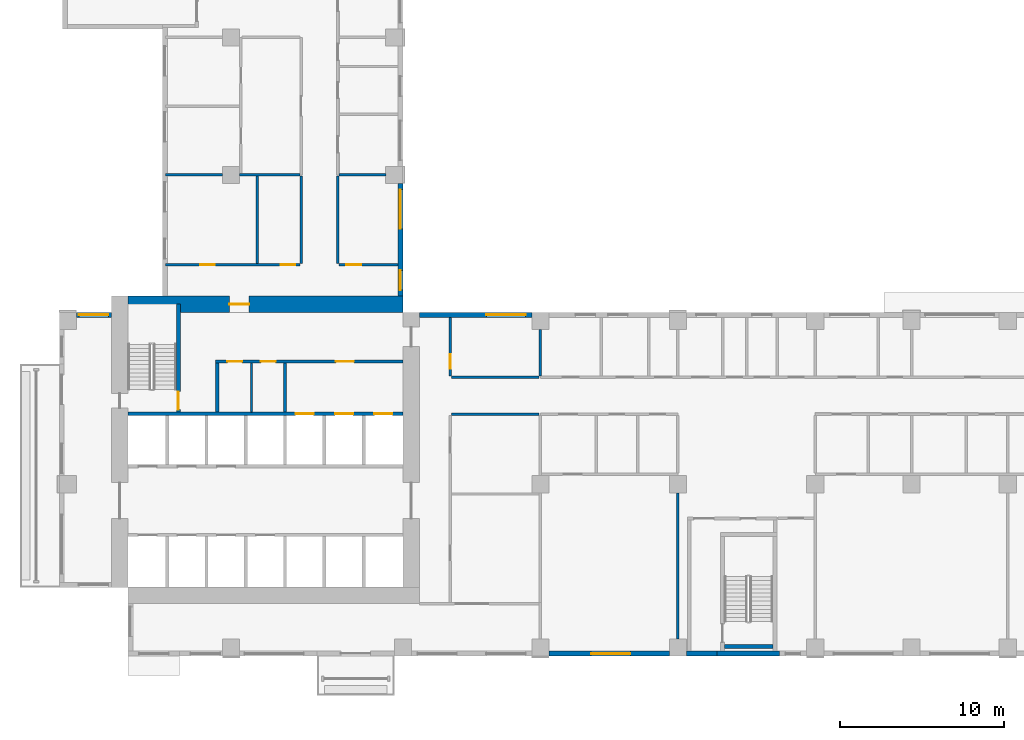
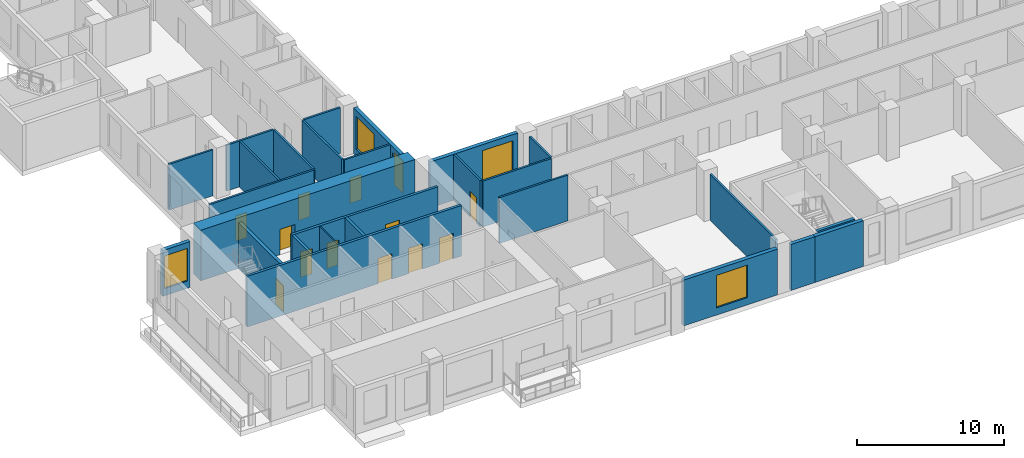
# One storey, part 3 of 13: 27 walls, 12 doors, 5 windows, 17 openings.
"""IFC4 building model written with IfcOpenShell, lengths in metres."""

from ifc_helpers import new_model, si_unit, direction, frame, frame_2d, origin, place, context, subcontext, project, spatial, rectangle, extrude, source, transform, mapped, material, layer, layer_set, type_object, element, fill, save


model = new_model("IFC4")

# Units and contexts
model_context = context("Model", 3, precision=1e-05, world=origin(), true_north=direction((0.0, 1.0)))
body_context = subcontext(model_context, "Body", "Model", "MODEL_VIEW")
ifc_project = project(units=[si_unit("LENGTHUNIT", "METRE"), si_unit("AREAUNIT", "SQUARE_METRE"), si_unit("VOLUMEUNIT", "CUBIC_METRE"), si_unit("PLANEANGLEUNIT", "RADIAN"), si_unit("MASSUNIT", "GRAM", prefix="KILO")], contexts=[model_context])

# Site, building, storey
site_placement = place(None, origin())
site = spatial("IfcSite", under=ifc_project, at=site_placement, CompositionType="ELEMENT")
building_placement = place(site_placement, origin())
building = spatial("IfcBuilding", under=site, at=building_placement, Name="Aurelian Terraces", CompositionType="ELEMENT")
storey_placement = place(building_placement, frame((0.0, 0.0, 158.1)))
storey = spatial("IfcBuildingStorey", under=building, at=storey_placement, Name="L35", CompositionType="ELEMENT", Elevation=158.1)

# Wall, opening, door
ifc_material_1 = material(Name="Concrete fc' 83 MPa", Category="concrete")
ifc_layer_1 = layer(ifc_material_1, 1.0)
ifc_layer_set_1 = layer_set([ifc_layer_1], Name="CORE WALL 1000 FC83")
wall_type_1 = type_object("IfcWallType", Name="CORE WALL 1000 FC83", PredefinedType="SHEAR", material=ifc_layer_set_1)
shared_shape_1 = source(origin(), body_context, "Body", "SweptSolid", [
    extrude(rectangle(XDim=16.8, YDim=1.0, at=frame_2d((8.4, 0.0))), origin(), (0.0, 0.0, 1.0), 4.2),
])
wall_1_placement = place(storey_placement, frame((4.2, 21.5, 0.0), z_axis=(0.0, 0.0, 1.0), x_axis=(1.0, 0.0, 0.0)))
wall_1 = element("IfcWall", 1, at=wall_1_placement, inside=storey, type_object=wall_type_1, Name="Core wall N L35", PredefinedType="SHEAR", context=body_context, shape_type="MappedRepresentation", body=[
    mapped(shared_shape_1, transform((0.0, 0.0, 0.0), scale=1.0)),
])
shared_shape_2 = source(origin(), body_context, "Body", "SweptSolid", [
    extrude(rectangle(XDim=1.2, YDim=2.1, at=frame_2d((0.6, 1.05))), frame((0.0, 0.51, 0.0), z_axis=(0.0, -1.0, 0.0), x_axis=(1.0, 0.0, 0.0)), (0.0, 0.0, 1.0), 1.02),
])
opening_1_placement = place(wall_1_placement, frame((6.2, 0.0, 0.0)))
opening_1 = element("IfcOpeningElement", 2, at=opening_1_placement, cuts=wall_1, Name="Opening 63822", PredefinedType="OPENING", context=body_context, shape_type="MappedRepresentation", body=[
    mapped(shared_shape_2, transform((0.0, 0.0, 0.0), scale=1.0)),
])
ifc_material_2 = material(Name="Steel door leaf", Category="steel")
door_type_1 = type_object("IfcDoorType", Name="Core fire door 1200x2100", OperationType="SINGLE_SWING_LEFT", PredefinedType="DOOR", material=ifc_material_2)
shared_shape_3 = source(origin(), body_context, "Body", "SweptSolid", [
    extrude(rectangle(XDim=1.2, YDim=2.1, at=frame_2d((0.6, 1.05))), frame((0.0, 0.025, 0.0), z_axis=(0.0, -1.0, 0.0), x_axis=(1.0, 0.0, 0.0)), (0.0, 0.0, 1.0), 0.05),
])
door_1_placement = place(opening_1_placement, origin())
door_1 = element("IfcDoor", 3, at=door_1_placement, inside=storey, type_object=door_type_1, Name="Core door 63822", OperationType="SINGLE_SWING_LEFT", OverallHeight=2.1, OverallWidth=1.2, PredefinedType="DOOR", context=body_context, shape_type="MappedRepresentation", body=[
    mapped(shared_shape_3, transform((0.0, 0.0, 0.0), scale=1.0)),
])
fill(opening_1, door_1)

# Wall
ifc_material_3 = material(Name="Concrete fc' 40 MPa", Category="concrete")
ifc_layer_2 = layer(ifc_material_3, 0.3)
ifc_layer_set_2 = layer_set([ifc_layer_2], Name="STAIR BAY WALL 300")
wall_type_2 = type_object("IfcWallType", Name="STAIR BAY WALL 300", PredefinedType="SOLIDWALL", material=ifc_layer_set_2)
shared_shape_4 = source(origin(), body_context, "Body", "SweptSolid", [
    extrude(rectangle(XDim=3.8, YDim=0.3, at=frame_2d((1.9, 0.0))), origin(), (0.0, 0.0, 1.0), 3.8),
])
wall_2_placement = place(storey_placement, frame((40.2, 0.15, 0.0), z_axis=(0.0, 0.0, 1.0), x_axis=(1.0, 0.0, 0.0)))
element("IfcWall", 4, at=wall_2_placement, inside=storey, type_object=wall_type_2, Name="Stair bay wall L35 F01.7", PredefinedType="SOLIDWALL", context=body_context, shape_type="MappedRepresentation", body=[
    mapped(shared_shape_4, transform((0.0, 0.0, 0.0), scale=1.0)),
])

# Wall, opening, window
ifc_material_4 = material(Name="Terracotta rainscreen cladding", Category="masonry")
ifc_layer_3 = layer(ifc_material_4, 0.3)
ifc_layer_set_3 = layer_set([ifc_layer_3], Name="EW-300")
wall_type_3 = type_object("IfcWallType", Name="EW-300", PredefinedType="STANDARD", material=ifc_layer_set_3)
shared_shape_5 = source(origin(), body_context, "Body", "SweptSolid", [
    extrude(rectangle(XDim=7.35, YDim=0.3, at=frame_2d((3.675, 0.0))), origin(), (0.0, 0.0, 1.0), 3.8),
])
wall_3_placement = place(storey_placement, frame((29.925, 0.15, 0.0), z_axis=(0.0, 0.0, 1.0), x_axis=(1.0, 0.0, 0.0)))
wall_3 = element("IfcWall", 5, at=wall_3_placement, inside=storey, type_object=wall_type_3, Name="External wall L35 F01.6", PredefinedType="STANDARD", context=body_context, shape_type="MappedRepresentation", body=[
    mapped(shared_shape_5, transform((0.0, 0.0, 0.0), scale=1.0)),
])
shared_shape_6 = source(origin(), body_context, "Body", "SweptSolid", [
    extrude(rectangle(XDim=2.4, YDim=2.7, at=frame_2d((1.2, 1.35))), frame((0.0, 0.16, 0.0), z_axis=(0.0, -1.0, 0.0), x_axis=(1.0, 0.0, 0.0)), (0.0, 0.0, 1.0), 0.32),
])
opening_2_placement = place(wall_3_placement, frame((2.575, 0.0, 0.6)))
opening_2 = element("IfcOpeningElement", 6, at=opening_2_placement, cuts=wall_3, Name="Opening W2427", PredefinedType="OPENING", context=body_context, shape_type="MappedRepresentation", body=[
    mapped(shared_shape_6, transform((0.0, 0.0, 0.0), scale=1.0)),
])
ifc_material_5 = material(Name="Clear glazing", Category="glass")
window_type_1 = type_object("IfcWindowType", Name="W-2400x2700", PartitioningType="SINGLE_PANEL", PredefinedType="WINDOW", material=ifc_material_5)
shared_shape_7 = source(origin(), body_context, "Body", "SweptSolid", [
    extrude(rectangle(XDim=2.4, YDim=2.7, at=frame_2d((1.2, 1.35))), frame((0.0, 0.03, 0.0), z_axis=(0.0, -1.0, 0.0), x_axis=(1.0, 0.0, 0.0)), (0.0, 0.0, 1.0), 0.06),
])
window_1_placement = place(opening_2_placement, origin())
window_1 = element("IfcWindow", 7, at=window_1_placement, inside=storey, type_object=window_type_1, Name="Window L35 L35-F01-06-P0", OverallHeight=2.7, OverallWidth=2.4, PartitioningType="SINGLE_PANEL", PredefinedType="WINDOW", context=body_context, shape_type="MappedRepresentation", body=[
    mapped(shared_shape_7, transform((0.0, 0.0, 0.0), scale=1.0)),
])
fill(opening_2, window_1)

shared_shape_8 = source(origin(), body_context, "Body", "SweptSolid", [
    extrude(rectangle(XDim=6.875, YDim=0.3, at=frame_2d((3.4375, 0.0))), origin(), (0.0, 0.0, 1.0), 3.8),
])
wall_4_placement = place(storey_placement, frame((28.875, 20.85, 0.0), z_axis=(0.0, 0.0, 1.0), x_axis=(-1.0, 0.0, 0.0)))
wall_4 = element("IfcWall", 8, at=wall_4_placement, inside=storey, type_object=wall_type_3, Name="External wall L35 F07.20", PredefinedType="STANDARD", context=body_context, shape_type="MappedRepresentation", body=[
    mapped(shared_shape_8, transform((0.0, 0.0, 0.0), scale=1.0)),
])
opening_3_placement = place(wall_4_placement, frame((0.375, 0.0, 0.6)))
opening_3 = element("IfcOpeningElement", 9, at=opening_3_placement, cuts=wall_4, Name="Opening W2427", PredefinedType="OPENING", context=body_context, shape_type="MappedRepresentation", body=[
    mapped(shared_shape_6, transform((0.0, 0.0, 0.0), scale=1.0)),
])
window_2_placement = place(opening_3_placement, origin())
window_2 = element("IfcWindow", 10, at=window_2_placement, inside=storey, type_object=window_type_1, Name="Window L35 L35-F07-20-3", OverallHeight=2.7, OverallWidth=2.4, PartitioningType="SINGLE_PANEL", PredefinedType="WINDOW", context=body_context, shape_type="MappedRepresentation", body=[
    mapped(shared_shape_7, transform((0.0, 0.0, 0.0), scale=1.0)),
])
fill(opening_3, window_2)

# Wall, openings, windows
wall_5_placement = place(storey_placement, frame((20.85, 22.0, 0.0), z_axis=(0.0, 0.0, 1.0), x_axis=(0.0, 1.0, 0.0)))
wall_5 = element("IfcWall", 11, at=wall_5_placement, inside=storey, type_object=wall_type_3, Name="External wall L35 F08.21", PredefinedType="STANDARD", context=body_context, shape_type="MappedRepresentation", body=[
    mapped(shared_shape_8, transform((0.0, 0.0, 0.0), scale=1.0)),
])
shared_shape_9 = source(origin(), body_context, "Body", "SweptSolid", [
    extrude(rectangle(XDim=1.2, YDim=2.7, at=frame_2d((0.6, 1.35))), frame((0.0, 0.16, 0.0), z_axis=(0.0, -1.0, 0.0), x_axis=(1.0, 0.0, 0.0)), (0.0, 0.0, 1.0), 0.32),
])
opening_4_placement = place(wall_5_placement, frame((0.3625, 0.0, 0.6)))
opening_4 = element("IfcOpeningElement", 12, at=opening_4_placement, cuts=wall_5, Name="Opening W1227", PredefinedType="OPENING", context=body_context, shape_type="MappedRepresentation", body=[
    mapped(shared_shape_9, transform((0.0, 0.0, 0.0), scale=1.0)),
])
opening_5_placement = place(wall_5_placement, frame((4.1, 0.0, 0.6)))
opening_5 = element("IfcOpeningElement", 13, at=opening_5_placement, cuts=wall_5, Name="Opening W2427", PredefinedType="OPENING", context=body_context, shape_type="MappedRepresentation", body=[
    mapped(shared_shape_6, transform((0.0, 0.0, 0.0), scale=1.0)),
])
window_3_placement = place(opening_5_placement, origin())
window_3 = element("IfcWindow", 14, at=window_3_placement, inside=storey, type_object=window_type_1, Name="Window L35 L35-F08-21-1", OverallHeight=2.7, OverallWidth=2.4, PartitioningType="SINGLE_PANEL", PredefinedType="WINDOW", context=body_context, shape_type="MappedRepresentation", body=[
    mapped(shared_shape_7, transform((0.0, 0.0, 0.0), scale=1.0)),
])
fill(opening_5, window_3)
window_type_2 = type_object("IfcWindowType", Name="W-1200x2700", PartitioningType="SINGLE_PANEL", PredefinedType="WINDOW", material=ifc_material_5)
shared_shape_10 = source(origin(), body_context, "Body", "SweptSolid", [
    extrude(rectangle(XDim=1.2, YDim=2.7, at=frame_2d((0.6, 1.35))), frame((0.0, 0.03, 0.0), z_axis=(0.0, -1.0, 0.0), x_axis=(1.0, 0.0, 0.0)), (0.0, 0.0, 1.0), 0.06),
])
window_4_placement = place(opening_4_placement, origin())
window_4 = element("IfcWindow", 15, at=window_4_placement, inside=storey, type_object=window_type_2, Name="Window L35 L35-F08-21-0", OverallHeight=2.7, OverallWidth=1.2, PartitioningType="SINGLE_PANEL", PredefinedType="WINDOW", context=body_context, shape_type="MappedRepresentation", body=[
    mapped(shared_shape_10, transform((0.0, 0.0, 0.0), scale=1.0)),
])
fill(opening_4, window_4)

# Wall, opening, window
shared_shape_11 = source(origin(), body_context, "Body", "SweptSolid", [
    extrude(rectangle(XDim=2.15, YDim=0.3, at=frame_2d((1.075, 0.0))), origin(), (0.0, 0.0, 1.0), 3.8),
])
wall_6_placement = place(storey_placement, frame((3.2, 20.85, 0.0), z_axis=(0.0, 0.0, 1.0), x_axis=(-1.0, 0.0, 0.0)))
wall_6 = element("IfcWall", 16, at=wall_6_placement, inside=storey, type_object=wall_type_3, Name="External wall L35 F19.36", PredefinedType="STANDARD", context=body_context, shape_type="MappedRepresentation", body=[
    mapped(shared_shape_11, transform((0.0, 0.0, 0.0), scale=1.0)),
])
shared_shape_12 = source(origin(), body_context, "Body", "SweptSolid", [
    extrude(rectangle(XDim=1.8, YDim=2.7, at=frame_2d((0.9, 1.35))), frame((0.0, 0.16, 0.0), z_axis=(0.0, -1.0, 0.0), x_axis=(1.0, 0.0, 0.0)), (0.0, 0.0, 1.0), 0.32),
])
opening_6_placement = place(wall_6_placement, frame((0.2, 0.0, 0.6)))
opening_6 = element("IfcOpeningElement", 17, at=opening_6_placement, cuts=wall_6, Name="Opening W1827", PredefinedType="OPENING", context=body_context, shape_type="MappedRepresentation", body=[
    mapped(shared_shape_12, transform((0.0, 0.0, 0.0), scale=1.0)),
])
window_type_3 = type_object("IfcWindowType", Name="W-1800x2700", PartitioningType="SINGLE_PANEL", PredefinedType="WINDOW", material=ifc_material_5)
shared_shape_13 = source(origin(), body_context, "Body", "SweptSolid", [
    extrude(rectangle(XDim=1.8, YDim=2.7, at=frame_2d((0.9, 1.35))), frame((0.0, 0.03, 0.0), z_axis=(0.0, -1.0, 0.0), x_axis=(1.0, 0.0, 0.0)), (0.0, 0.0, 1.0), 0.06),
])
window_5_placement = place(opening_6_placement, origin())
window_5 = element("IfcWindow", 18, at=window_5_placement, inside=storey, type_object=window_type_3, Name="Window L35 L35-F19-36-0", OverallHeight=2.7, OverallWidth=1.8, PartitioningType="SINGLE_PANEL", PredefinedType="WINDOW", context=body_context, shape_type="MappedRepresentation", body=[
    mapped(shared_shape_13, transform((0.0, 0.0, 0.0), scale=1.0)),
])
fill(opening_6, window_5)

# Wall
shared_shape_14 = source(origin(), body_context, "Body", "SweptSolid", [
    extrude(rectangle(XDim=1.875, YDim=0.3, at=frame_2d((0.9375, 0.0))), origin(), (0.0, 0.0, 1.0), 3.8),
])
wall_7_placement = place(storey_placement, frame((38.325, 0.15, 0.0), z_axis=(0.0, 0.0, 1.0), x_axis=(1.0, 0.0, 0.0)))
element("IfcWall", 19, at=wall_7_placement, inside=storey, type_object=wall_type_3, Name="External wall L35 F01.7", PredefinedType="STANDARD", context=body_context, shape_type="MappedRepresentation", body=[
    mapped(shared_shape_14, transform((0.0, 0.0, 0.0), scale=1.0)),
])

# Wall, openings, doors
ifc_layer_4 = layer(ifc_material_3, 0.2)
ifc_layer_set_4 = layer_set([ifc_layer_4], Name="Lift shaft wall 200")
wall_type_4 = type_object("IfcWallType", Name="Lift shaft wall 200", PredefinedType="SOLIDWALL", material=ifc_layer_set_4)
shared_shape_15 = source(origin(), body_context, "Body", "SweptSolid", [
    extrude(rectangle(XDim=16.8, YDim=0.2, at=frame_2d((8.4, 0.0))), origin(), (0.0, 0.0, 1.0), 4.2),
])
wall_8_placement = place(storey_placement, frame((4.2, 14.8, 0.0), z_axis=(0.0, 0.0, 1.0), x_axis=(1.0, 0.0, 0.0)))
wall_8 = element("IfcWall", 20, at=wall_8_placement, inside=storey, type_object=wall_type_4, Name="L35 core wall CF-BB1", PredefinedType="SOLIDWALL", context=body_context, shape_type="MappedRepresentation", body=[
    mapped(shared_shape_15, transform((0.0, 0.0, 0.0), scale=1.0)),
])
shared_shape_16 = source(origin(), body_context, "Body", "SweptSolid", [
    extrude(rectangle(XDim=1.1, YDim=2.1, at=frame_2d((0.55, 1.05))), frame((0.0, 0.11, 0.0), z_axis=(0.0, -1.0, 0.0), x_axis=(1.0, 0.0, 0.0)), (0.0, 0.0, 1.0), 0.22),
])
opening_7_placement = place(wall_8_placement, frame((10.25, 0.0, 0.0)))
opening_7 = element("IfcOpeningElement", 21, at=opening_7_placement, cuts=wall_8, Name="Opening 63807", PredefinedType="OPENING", context=body_context, shape_type="MappedRepresentation", body=[
    mapped(shared_shape_16, transform((0.0, 0.0, 0.0), scale=1.0)),
])
opening_8_placement = place(wall_8_placement, frame((12.65, 0.0, 0.0)))
opening_8 = element("IfcOpeningElement", 22, at=opening_8_placement, cuts=wall_8, Name="Opening 63808", PredefinedType="OPENING", context=body_context, shape_type="MappedRepresentation", body=[
    mapped(shared_shape_16, transform((0.0, 0.0, 0.0), scale=1.0)),
])
opening_9_placement = place(wall_8_placement, frame((15.05, 0.0, 0.0)))
opening_9 = element("IfcOpeningElement", 23, at=opening_9_placement, cuts=wall_8, Name="Opening 63809", PredefinedType="OPENING", context=body_context, shape_type="MappedRepresentation", body=[
    mapped(shared_shape_16, transform((0.0, 0.0, 0.0), scale=1.0)),
])
ifc_material_6 = material(Name="Stainless steel", Category="steel")
door_type_2 = type_object("IfcDoorType", Name="Lift landing door 1100x2100", OperationType="SLIDING_TO_LEFT", PredefinedType="DOOR", material=ifc_material_6)
shared_shape_17 = source(origin(), body_context, "Body", "SweptSolid", [
    extrude(rectangle(XDim=1.1, YDim=2.1, at=frame_2d((0.55, 1.05))), frame((0.0, 0.025, 0.0), z_axis=(0.0, -1.0, 0.0), x_axis=(1.0, 0.0, 0.0)), (0.0, 0.0, 1.0), 0.05),
])
door_2_placement = place(opening_7_placement, origin())
door_2 = element("IfcDoor", 24, at=door_2_placement, inside=storey, type_object=door_type_2, Name="Lift landing door F1 L35", OperationType="SLIDING_TO_LEFT", OverallHeight=2.1, OverallWidth=1.1, PredefinedType="DOOR", context=body_context, shape_type="MappedRepresentation", body=[
    mapped(shared_shape_17, transform((0.0, 0.0, 0.0), scale=1.0)),
])
fill(opening_7, door_2)
door_3_placement = place(opening_8_placement, origin())
door_3 = element("IfcDoor", 25, at=door_3_placement, inside=storey, type_object=door_type_2, Name="Lift landing door F2 L35", OperationType="SLIDING_TO_LEFT", OverallHeight=2.1, OverallWidth=1.1, PredefinedType="DOOR", context=body_context, shape_type="MappedRepresentation", body=[
    mapped(shared_shape_17, transform((0.0, 0.0, 0.0), scale=1.0)),
])
fill(opening_8, door_3)
door_4_placement = place(opening_9_placement, origin())
door_4 = element("IfcDoor", 26, at=door_4_placement, inside=storey, type_object=door_type_2, Name="Lift landing door F3 L35", OperationType="SLIDING_TO_LEFT", OverallHeight=2.1, OverallWidth=1.1, PredefinedType="DOOR", context=body_context, shape_type="MappedRepresentation", body=[
    mapped(shared_shape_17, transform((0.0, 0.0, 0.0), scale=1.0)),
])
fill(opening_9, door_4)

# Walls
ifc_material_7 = material(Name="Gypsum board on steel studs", Category="steel")
ifc_layer_5 = layer(ifc_material_7, 0.2)
ifc_layer_set_5 = layer_set([ifc_layer_5], Name="Core partition 200")
wall_type_5 = type_object("IfcWallType", Name="Core partition 200", PredefinedType="PARTITIONING", material=ifc_layer_set_5)
shared_shape_18 = source(origin(), body_context, "Body", "SweptSolid", [
    extrude(rectangle(XDim=3.0, YDim=0.2, at=frame_2d((1.5, 0.0))), origin(), (0.0, 0.0, 1.0), 3.8),
])
for number, where, z_axis, x_axis, name in (
    (27, (9.65, 14.9, 0.0), (0.0, 0.0, 1.0), (0.0, 1.0, 0.0), "L35 core wall CP-VEST"),
    (28, (13.8, 14.9, 0.0), (0.0, 0.0, 1.0), (0.0, 1.0, 0.0), "L35 core wall CP-FFL"),
):
    element("IfcWall", number, at=place(storey_placement, frame(where, z_axis=z_axis, x_axis=x_axis)), inside=storey, type_object=wall_type_5, Name=name, PredefinedType="PARTITIONING", context=body_context, shape_type="MappedRepresentation", body=[
        mapped(shared_shape_18, transform((0.0, 0.0, 0.0), scale=1.0)),
    ])
ifc_layer_6 = layer(ifc_material_7, 0.1)
ifc_layer_set_6 = layer_set([ifc_layer_6], Name="Core partition 100")
wall_type_6 = type_object("IfcWallType", Name="Core partition 100", PredefinedType="PARTITIONING", material=ifc_layer_set_6)
shared_shape_19 = source(origin(), body_context, "Body", "SweptSolid", [
    extrude(rectangle(XDim=3.0, YDim=0.1, at=frame_2d((1.5, 0.0))), origin(), (0.0, 0.0, 1.0), 3.8),
])
wall_9_placement = place(storey_placement, frame((11.75, 14.9, 0.0), z_axis=(0.0, 0.0, 1.0), x_axis=(0.0, 1.0, 0.0)))
element("IfcWall", 29, at=wall_9_placement, inside=storey, type_object=wall_type_6, Name="L35 core wall CP-SV1", PredefinedType="PARTITIONING", context=body_context, shape_type="MappedRepresentation", body=[
    mapped(shared_shape_19, transform((0.0, 0.0, 0.0), scale=1.0)),
])
ifc_layer_7 = layer(ifc_material_3, 0.25)
ifc_layer_set_7 = layer_set([ifc_layer_7], Name="Stair enclosure wall 250")
wall_type_7 = type_object("IfcWallType", Name="Stair enclosure wall 250", PredefinedType="SOLIDWALL", material=ifc_layer_set_7)
shared_shape_20 = source(origin(), body_context, "Body", "SweptSolid", [
    extrude(rectangle(XDim=2.95, YDim=0.25, at=frame_2d((1.475, 0.0))), origin(), (0.0, 0.0, 1.0), 3.8),
])
wall_10_placement = place(storey_placement, frame((40.65, 0.575, 0.0), z_axis=(0.0, 0.0, 1.0), x_axis=(1.0, 0.0, 0.0)))
element("IfcWall", 30, at=wall_10_placement, inside=storey, type_object=wall_type_7, Name="L35 core wall ST-S2-SS", PredefinedType="SOLIDWALL", context=body_context, shape_type="MappedRepresentation", body=[
    mapped(shared_shape_20, transform((0.0, 0.0, 0.0), scale=1.0)),
])

# Wall, opening, door
shared_shape_21 = source(origin(), body_context, "Body", "SweptSolid", [
    extrude(rectangle(XDim=6.6, YDim=0.25, at=frame_2d((3.3, 0.0))), origin(), (0.0, 0.0, 1.0), 3.8),
])
wall_11_placement = place(storey_placement, frame((7.275, 14.9, 0.0), z_axis=(0.0, 0.0, 1.0), x_axis=(0.0, 1.0, 0.0)))
wall_11 = element("IfcWall", 31, at=wall_11_placement, inside=storey, type_object=wall_type_7, Name="L35 core wall ST-S1-E", PredefinedType="SOLIDWALL", context=body_context, shape_type="MappedRepresentation", body=[
    mapped(shared_shape_21, transform((0.0, 0.0, 0.0), scale=1.0)),
])
shared_shape_22 = source(origin(), body_context, "Body", "SweptSolid", [
    extrude(rectangle(XDim=1.1, YDim=2.1, at=frame_2d((0.55, 1.05))), frame((0.0, 0.135, 0.0), z_axis=(0.0, -1.0, 0.0), x_axis=(1.0, 0.0, 0.0)), (0.0, 0.0, 1.0), 0.27),
])
opening_10_placement = place(wall_11_placement, frame((0.15, 0.0, 0.0)))
opening_10 = element("IfcOpeningElement", 32, at=opening_10_placement, cuts=wall_11, Name="Opening 63810", PredefinedType="OPENING", context=body_context, shape_type="MappedRepresentation", body=[
    mapped(shared_shape_22, transform((0.0, 0.0, 0.0), scale=1.0)),
])
door_type_3 = type_object("IfcDoorType", Name="Core fire door 1100x2100", OperationType="SINGLE_SWING_LEFT", PredefinedType="DOOR", material=ifc_material_2)
door_5_placement = place(opening_10_placement, origin())
door_5 = element("IfcDoor", 33, at=door_5_placement, inside=storey, type_object=door_type_3, Name="Stair door 63810", OperationType="SINGLE_SWING_LEFT", OverallHeight=2.1, OverallWidth=1.1, PredefinedType="DOOR", context=body_context, shape_type="MappedRepresentation", body=[
    mapped(shared_shape_17, transform((0.0, 0.0, 0.0), scale=1.0)),
])
fill(opening_10, door_5)

# Wall, openings, doors
shared_shape_23 = source(origin(), body_context, "Body", "SweptSolid", [
    extrude(rectangle(XDim=11.45, YDim=0.2, at=frame_2d((5.725, 0.0))), origin(), (0.0, 0.0, 1.0), 3.8),
])
wall_12_placement = place(storey_placement, frame((9.55, 18.0, 0.0), z_axis=(0.0, 0.0, 1.0), x_axis=(1.0, 0.0, 0.0)))
wall_12 = element("IfcWall", 34, at=wall_12_placement, inside=storey, type_object=wall_type_5, Name="L35 core wall CP-NORTH", PredefinedType="PARTITIONING", context=body_context, shape_type="MappedRepresentation", body=[
    mapped(shared_shape_23, transform((0.0, 0.0, 0.0), scale=1.0)),
])
shared_shape_24 = source(origin(), body_context, "Body", "SweptSolid", [
    extrude(rectangle(XDim=0.9, YDim=2.1, at=frame_2d((0.45, 1.05))), frame((0.0, 0.11, 0.0), z_axis=(0.0, -1.0, 0.0), x_axis=(1.0, 0.0, 0.0)), (0.0, 0.0, 1.0), 0.22),
])
opening_11_placement = place(wall_12_placement, frame((0.725, 0.0, 0.0)))
opening_11 = element("IfcOpeningElement", 35, at=opening_11_placement, cuts=wall_12, Name="Opening 63811", PredefinedType="OPENING", context=body_context, shape_type="MappedRepresentation", body=[
    mapped(shared_shape_24, transform((0.0, 0.0, 0.0), scale=1.0)),
])
opening_12_placement = place(wall_12_placement, frame((2.775, 0.0, 0.0)))
opening_12 = element("IfcOpeningElement", 36, at=opening_12_placement, cuts=wall_12, Name="Opening 63812", PredefinedType="OPENING", context=body_context, shape_type="MappedRepresentation", body=[
    mapped(shared_shape_24, transform((0.0, 0.0, 0.0), scale=1.0)),
])
opening_13_placement = place(wall_12_placement, frame((7.35, 0.0, 0.0)))
opening_13 = element("IfcOpeningElement", 37, at=opening_13_placement, cuts=wall_12, Name="Opening 63813", PredefinedType="OPENING", context=body_context, shape_type="MappedRepresentation", body=[
    mapped(shared_shape_16, transform((0.0, 0.0, 0.0), scale=1.0)),
])
door_type_4 = type_object("IfcDoorType", Name="Core service door 900x2100 right", OperationType="SINGLE_SWING_RIGHT", PredefinedType="DOOR", material=ifc_material_2)
shared_shape_25 = source(origin(), body_context, "Body", "SweptSolid", [
    extrude(rectangle(XDim=0.9, YDim=2.1, at=frame_2d((0.45, 1.05))), frame((0.0, 0.025, 0.0), z_axis=(0.0, -1.0, 0.0), x_axis=(1.0, 0.0, 0.0)), (0.0, 0.0, 1.0), 0.05),
])
door_6_placement = place(opening_11_placement, origin())
door_6 = element("IfcDoor", 38, at=door_6_placement, inside=storey, type_object=door_type_4, Name="Room door 63811", OperationType="SINGLE_SWING_RIGHT", OverallHeight=2.1, OverallWidth=0.9, PredefinedType="DOOR", context=body_context, shape_type="MappedRepresentation", body=[
    mapped(shared_shape_25, transform((0.0, 0.0, 0.0), scale=1.0)),
])
fill(opening_11, door_6)
door_type_5 = type_object("IfcDoorType", Name="Core service door 900x2100", OperationType="SINGLE_SWING_LEFT", PredefinedType="DOOR", material=ifc_material_2)
door_7_placement = place(opening_12_placement, origin())
door_7 = element("IfcDoor", 39, at=door_7_placement, inside=storey, type_object=door_type_5, Name="Room door 63812", OperationType="SINGLE_SWING_LEFT", OverallHeight=2.1, OverallWidth=0.9, PredefinedType="DOOR", context=body_context, shape_type="MappedRepresentation", body=[
    mapped(shared_shape_25, transform((0.0, 0.0, 0.0), scale=1.0)),
])
fill(opening_12, door_7)
door_type_6 = type_object("IfcDoorType", Name="Core fire door 1100x2100 right", OperationType="SINGLE_SWING_RIGHT", PredefinedType="DOOR", material=ifc_material_2)
door_8_placement = place(opening_13_placement, origin())
door_8 = element("IfcDoor", 40, at=door_8_placement, inside=storey, type_object=door_type_6, Name="Ff lobby door 63813", OperationType="SINGLE_SWING_RIGHT", OverallHeight=2.1, OverallWidth=1.1, PredefinedType="DOOR", context=body_context, shape_type="MappedRepresentation", body=[
    mapped(shared_shape_17, transform((0.0, 0.0, 0.0), scale=1.0)),
])
fill(opening_13, door_8)

# Wall, opening, door
ifc_layer_8 = layer(ifc_material_7, 0.15)
ifc_layer_set_8 = layer_set([ifc_layer_8], Name="Partition 150")
wall_type_8 = type_object("IfcWallType", Name="Partition 150", PredefinedType="PARTITIONING", material=ifc_layer_set_8)
shared_shape_26 = source(origin(), body_context, "Body", "SweptSolid", [
    extrude(rectangle(XDim=3.6, YDim=0.15, at=frame_2d((1.8, 0.0))), origin(), (0.0, 0.0, 1.0), 3.8),
])
wall_13_placement = place(storey_placement, frame((23.9, 20.7, 0.0), z_axis=(0.0, 0.0, 1.0), x_axis=(0.0, -1.0, 0.0)))
wall_13 = element("IfcWall", 41, at=wall_13_placement, inside=storey, type_object=wall_type_8, Name="Partition", PredefinedType="PARTITIONING", context=body_context, shape_type="MappedRepresentation", body=[
    mapped(shared_shape_26, transform((0.0, 0.0, 0.0), scale=1.0)),
])
shared_shape_27 = source(origin(), body_context, "Body", "SweptSolid", [
    extrude(rectangle(XDim=0.9, YDim=2.1, at=frame_2d((0.45, 1.05))), frame((0.0, 0.085, 0.0), z_axis=(0.0, -1.0, 0.0), x_axis=(1.0, 0.0, 0.0)), (0.0, 0.0, 1.0), 0.17),
])
opening_14_placement = place(wall_13_placement, frame((2.25, 0.0, 0.0)))
opening_14 = element("IfcOpeningElement", 42, at=opening_14_placement, cuts=wall_13, Name="Opening 735003", PredefinedType="OPENING", context=body_context, shape_type="MappedRepresentation", body=[
    mapped(shared_shape_27, transform((0.0, 0.0, 0.0), scale=1.0)),
])
ifc_material_8 = material(Name="Timber door leaf", Category="wood")
door_type_7 = type_object("IfcDoorType", Name="Room door 900x2100 left", OperationType="SINGLE_SWING_LEFT", PredefinedType="DOOR", material=ifc_material_8)
door_9_placement = place(opening_14_placement, origin())
door_9 = element("IfcDoor", 43, at=door_9_placement, inside=storey, type_object=door_type_7, Name="Door 735003", OperationType="SINGLE_SWING_LEFT", OverallHeight=2.1, OverallWidth=0.9, PredefinedType="DOOR", context=body_context, shape_type="MappedRepresentation", body=[
    mapped(shared_shape_25, transform((0.0, 0.0, 0.0), scale=1.0)),
])
fill(opening_14, door_9)

wall_14_placement = place(storey_placement, frame((17.1, 23.9, 0.0), z_axis=(0.0, 0.0, 1.0), x_axis=(1.0, 0.0, 0.0)))
wall_14 = element("IfcWall", 44, at=wall_14_placement, inside=storey, type_object=wall_type_8, Name="Partition", PredefinedType="PARTITIONING", context=body_context, shape_type="MappedRepresentation", body=[
    mapped(shared_shape_26, transform((0.0, 0.0, 0.0), scale=1.0)),
])
opening_15_placement = place(wall_14_placement, frame((0.45, 0.0, 0.0)))
opening_15 = element("IfcOpeningElement", 45, at=opening_15_placement, cuts=wall_14, Name="Opening 735032", PredefinedType="OPENING", context=body_context, shape_type="MappedRepresentation", body=[
    mapped(shared_shape_27, transform((0.0, 0.0, 0.0), scale=1.0)),
])
door_10_placement = place(opening_15_placement, origin())
door_10 = element("IfcDoor", 46, at=door_10_placement, inside=storey, type_object=door_type_7, Name="Door 735032", OperationType="SINGLE_SWING_LEFT", OverallHeight=2.1, OverallWidth=0.9, PredefinedType="DOOR", context=body_context, shape_type="MappedRepresentation", body=[
    mapped(shared_shape_25, transform((0.0, 0.0, 0.0), scale=1.0)),
])
fill(opening_15, door_10)

# Walls
shared_shape_28 = source(origin(), body_context, "Body", "SweptSolid", [
    extrude(rectangle(XDim=8.927, YDim=0.15, at=frame_2d((4.4635, 0.0))), origin(), (0.0, 0.0, 1.0), 3.8),
])
wall_15_placement = place(storey_placement, frame((37.8, 1.049, 0.0), z_axis=(0.0, 0.0, 1.0), x_axis=(0.0, 1.0, 0.0)))
element("IfcWall", 47, at=wall_15_placement, inside=storey, type_object=wall_type_8, Name="Partition", PredefinedType="PARTITIONING", context=body_context, shape_type="MappedRepresentation", body=[
    mapped(shared_shape_28, transform((0.0, 0.0, 0.0), scale=1.0)),
])
shared_shape_29 = source(origin(), body_context, "Body", "SweptSolid", [
    extrude(rectangle(XDim=2.851, YDim=0.15, at=frame_2d((1.4255, 0.0))), origin(), (0.0, 0.0, 1.0), 3.8),
])
for number, where, z_axis, x_axis, name in (
    (48, (29.4, 17.1, 0.0), (0.0, 0.0, 1.0), (0.0, 1.0, 0.0), "Partition"),
    (49, (19.951, 29.4, 0.0), (0.0, 0.0, 1.0), (-1.0, 0.0, 0.0), "Partition"),
):
    element("IfcWall", number, at=place(storey_placement, frame(where, z_axis=z_axis, x_axis=x_axis)), inside=storey, type_object=wall_type_8, Name=name, PredefinedType="PARTITIONING", context=body_context, shape_type="MappedRepresentation", body=[
        mapped(shared_shape_29, transform((0.0, 0.0, 0.0), scale=1.0)),
    ])
shared_shape_30 = source(origin(), body_context, "Body", "SweptSolid", [
    extrude(rectangle(XDim=3.471, YDim=0.15, at=frame_2d((1.7355, 0.0))), origin(), (0.0, 0.0, 1.0), 3.8),
])
wall_16_placement = place(storey_placement, frame((9.976, 29.4, 0.0), z_axis=(0.0, 0.0, 1.0), x_axis=(-1.0, 0.0, 0.0)))
element("IfcWall", 50, at=wall_16_placement, inside=storey, type_object=wall_type_8, Name="Partition", PredefinedType="PARTITIONING", context=body_context, shape_type="MappedRepresentation", body=[
    mapped(shared_shape_30, transform((0.0, 0.0, 0.0), scale=1.0)),
])
shared_shape_31 = source(origin(), body_context, "Body", "SweptSolid", [
    extrude(rectangle(XDim=3.676, YDim=0.15, at=frame_2d((1.838, 0.0))), origin(), (0.0, 0.0, 1.0), 3.8),
])
wall_17_placement = place(storey_placement, frame((14.7, 29.4, 0.0), z_axis=(0.0, 0.0, 1.0), x_axis=(-1.0, 0.0, 0.0)))
element("IfcWall", 51, at=wall_17_placement, inside=storey, type_object=wall_type_8, Name="Partition", PredefinedType="PARTITIONING", context=body_context, shape_type="MappedRepresentation", body=[
    mapped(shared_shape_31, transform((0.0, 0.0, 0.0), scale=1.0)),
])

# Wall, openings, doors
shared_shape_32 = source(origin(), body_context, "Body", "SweptSolid", [
    extrude(rectangle(XDim=8.195, YDim=0.15, at=frame_2d((4.0975, 0.0))), origin(), (0.0, 0.0, 1.0), 3.8),
])
wall_18_placement = place(storey_placement, frame((6.505, 23.9, 0.0), z_axis=(0.0, 0.0, 1.0), x_axis=(1.0, 0.0, 0.0)))
wall_18 = element("IfcWall", 52, at=wall_18_placement, inside=storey, type_object=wall_type_8, Name="Partition", PredefinedType="PARTITIONING", context=body_context, shape_type="MappedRepresentation", body=[
    mapped(shared_shape_32, transform((0.0, 0.0, 0.0), scale=1.0)),
])
opening_16_placement = place(wall_18_placement, frame((2.095, 0.0, 0.0)))
opening_16 = element("IfcOpeningElement", 53, at=opening_16_placement, cuts=wall_18, Name="Opening 735030", PredefinedType="OPENING", context=body_context, shape_type="MappedRepresentation", body=[
    mapped(shared_shape_27, transform((0.0, 0.0, 0.0), scale=1.0)),
])
opening_17_placement = place(wall_18_placement, frame((7.02, 0.0, 0.0)))
opening_17 = element("IfcOpeningElement", 54, at=opening_17_placement, cuts=wall_18, Name="Opening 735031", PredefinedType="OPENING", context=body_context, shape_type="MappedRepresentation", body=[
    mapped(shared_shape_27, transform((0.0, 0.0, 0.0), scale=1.0)),
])
door_11_placement = place(opening_16_placement, origin())
door_11 = element("IfcDoor", 55, at=door_11_placement, inside=storey, type_object=door_type_7, Name="Door 735030", OperationType="SINGLE_SWING_LEFT", OverallHeight=2.1, OverallWidth=0.9, PredefinedType="DOOR", context=body_context, shape_type="MappedRepresentation", body=[
    mapped(shared_shape_25, transform((0.0, 0.0, 0.0), scale=1.0)),
])
fill(opening_16, door_11)
door_type_8 = type_object("IfcDoorType", Name="Room door 900x2100 right", OperationType="SINGLE_SWING_RIGHT", PredefinedType="DOOR", material=ifc_material_8)
door_12_placement = place(opening_17_placement, origin())
door_12 = element("IfcDoor", 56, at=door_12_placement, inside=storey, type_object=door_type_8, Name="Door 735031", OperationType="SINGLE_SWING_RIGHT", OverallHeight=2.1, OverallWidth=0.9, PredefinedType="DOOR", context=body_context, shape_type="MappedRepresentation", body=[
    mapped(shared_shape_25, transform((0.0, 0.0, 0.0), scale=1.0)),
])
fill(opening_17, door_12)

# Walls
ifc_layer_9 = layer(ifc_material_7, 0.15)
ifc_layer_set_9 = layer_set([ifc_layer_9], Name="Fire partition 150")
wall_type_9 = type_object("IfcWallType", Name="Fire partition 150", PredefinedType="PARTITIONING", material=ifc_layer_set_9)
shared_shape_33 = source(origin(), body_context, "Body", "SweptSolid", [
    extrude(rectangle(XDim=5.35, YDim=0.15, at=frame_2d((2.675, 0.0))), origin(), (0.0, 0.0, 1.0), 3.8),
])
for number, where, z_axis, x_axis, name in (
    (57, (29.325, 14.775, 0.0), (0.0, 0.0, 1.0), (-1.0, 0.0, 0.0), "Corridor wall"),
    (58, (23.975, 17.025, 0.0), (0.0, 0.0, 1.0), (1.0, 0.0, 0.0), "Corridor wall"),
):
    element("IfcWall", number, at=place(storey_placement, frame(where, z_axis=z_axis, x_axis=x_axis)), inside=storey, type_object=wall_type_9, Name=name, PredefinedType="PARTITIONING", context=body_context, shape_type="MappedRepresentation", body=[
        mapped(shared_shape_33, transform((0.0, 0.0, 0.0), scale=1.0)),
    ])
wall_19_placement = place(storey_placement, frame((12.1, 23.975, 0.0), z_axis=(0.0, 0.0, 1.0), x_axis=(0.0, 1.0, 0.0)))
element("IfcWall", 59, at=wall_19_placement, inside=storey, type_object=wall_type_8, Name="Partition", PredefinedType="PARTITIONING", context=body_context, shape_type="MappedRepresentation", body=[
    mapped(shared_shape_33, transform((0.0, 0.0, 0.0), scale=1.0)),
])
for number, where, z_axis, x_axis, name in (
    (60, (14.775, 23.975, 0.0), (0.0, 0.0, 1.0), (0.0, 1.0, 0.0), "Corridor wall"),
    (61, (17.025, 29.325, 0.0), (0.0, 0.0, 1.0), (0.0, -1.0, 0.0), "Corridor wall"),
):
    element("IfcWall", number, at=place(storey_placement, frame(where, z_axis=z_axis, x_axis=x_axis)), inside=storey, type_object=wall_type_9, Name=name, PredefinedType="PARTITIONING", context=body_context, shape_type="MappedRepresentation", body=[
        mapped(shared_shape_33, transform((0.0, 0.0, 0.0), scale=1.0)),
    ])

save(model, "model.ifc")
